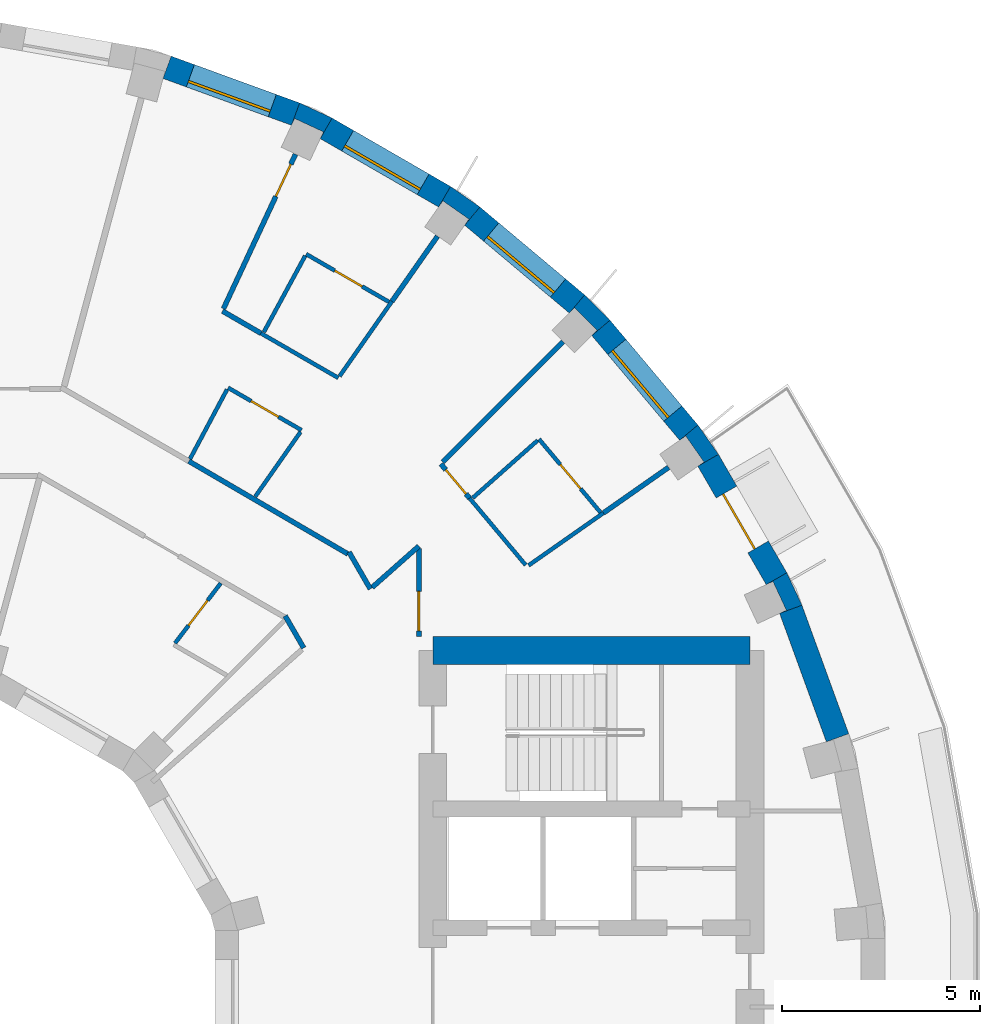
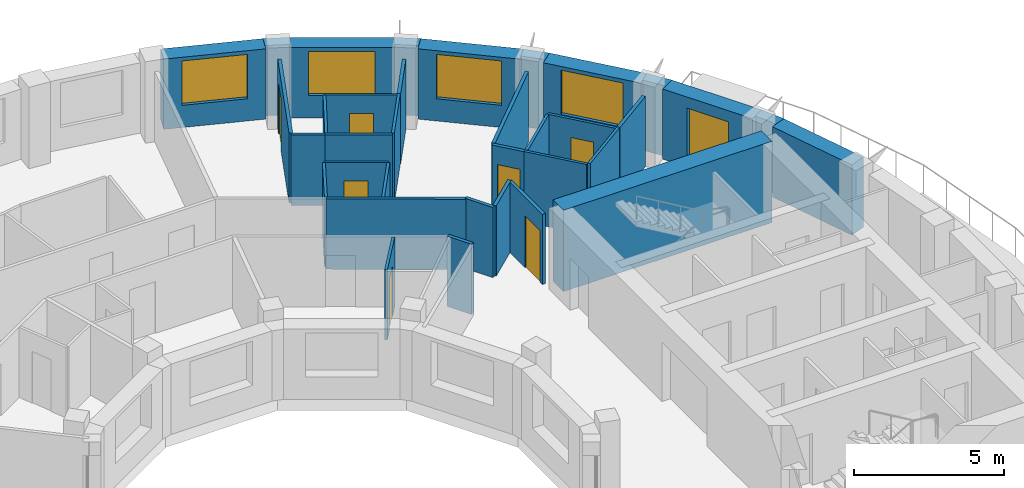
# One storey, part 9 of 11: 35 walls, 8 doors, 4 windows, 12 openings.
"""IFC4 building model written with IfcOpenShell, lengths in metres."""

from ifc_helpers import new_model, si_unit, direction, frame, frame_2d, origin, place, context, subcontext, project, spatial, polyline, rectangle, outline, extrude, material, layer, layer_set, type_object, element, fill, save


model = new_model("IFC4")

# Units and contexts
model_context = context("Model", 3, precision=1e-05, world=origin(), true_north=direction((0.0, 1.0)))
body_context = subcontext(model_context, "Body", "Model", "MODEL_VIEW")
ifc_project = project(units=[si_unit("LENGTHUNIT", "METRE"), si_unit("AREAUNIT", "SQUARE_METRE"), si_unit("VOLUMEUNIT", "CUBIC_METRE"), si_unit("PLANEANGLEUNIT", "RADIAN"), si_unit("MASSUNIT", "GRAM", prefix="KILO")], contexts=[model_context])

# Site, building, storey
site_placement = place(None, origin())
site = spatial("IfcSite", under=ifc_project, at=site_placement, CompositionType="ELEMENT")
building_placement = place(site_placement, origin())
building = spatial("IfcBuilding", under=site, at=building_placement, Name="Saqina Gate Tower", CompositionType="ELEMENT")
storey_placement = place(building_placement, frame((0.0, 0.0, 187.199951171875)))
storey = spatial("IfcBuildingStorey", under=building, at=storey_placement, Name="L53", CompositionType="ELEMENT", Elevation=187.199951171875)

# Walls
ifc_material_1 = material(Name="Brick masonry (buff)", Category="masonry")
wall_type_1 = type_object("IfcWallType", Name="BRICK PIER COPING BUFF", PredefinedType="SOLIDWALL", material=ifc_material_1)
wall_1_placement = place(storey_placement, origin())
element("IfcWall", 1, at=wall_1_placement, inside=storey, type_object=wall_type_1, Name="Pier cap L53 column 3", PredefinedType="SOLIDWALL", context=body_context, shape_type="SweptSolid", body=[
    extrude(outline(polyline([(22.4306640625, 10.958740234375), (21.9111328125, 10.65869140625), (22.080810546875, 10.73779296875), (22.4189453125, 10.0126953125), (22.249267578125, 9.93359375), (22.81298828125, 10.138916015625), (22.4306640625, 10.958740234375)])), origin(), (0.0, 0.0, 1.0), 2.85009765625),
])
wall_2_placement = place(storey_placement, origin())
element("IfcWall", 2, at=wall_2_placement, inside=storey, type_object=wall_type_1, Name="Pier cap L53 column 4", PredefinedType="SOLIDWALL", context=body_context, shape_type="SweptSolid", body=[
    extrude(outline(polyline([(20.705810546875, 13.9462890625), (20.18701171875, 14.687255859375), (19.727294921875, 14.301513671875), (19.880859375, 14.408935546875), (20.339599609375, 13.753662109375), (20.186279296875, 13.646240234375), (20.705810546875, 13.9462890625)])), origin(), (0.0, 0.0, 1.0), 2.85009765625),
])
wall_3_placement = place(storey_placement, origin())
element("IfcWall", 3, at=wall_3_placement, inside=storey, type_object=wall_type_1, Name="Pier cap L53 column 5", PredefinedType="SOLIDWALL", context=body_context, shape_type="SweptSolid", body=[
    extrude(outline(polyline([(17.329833984375, 17.969482421875), (16.944091796875, 17.510009765625), (17.07666015625, 17.642333984375), (17.642333984375, 17.07666015625), (17.510009765625, 16.944091796875), (17.969482421875, 17.329833984375), (17.329833984375, 17.969482421875)])), origin(), (0.0, 0.0, 1.0), 2.85009765625),
])
wall_4_placement = place(storey_placement, origin())
element("IfcWall", 4, at=wall_4_placement, inside=storey, type_object=wall_type_1, Name="Pier cap L53 column 6", PredefinedType="SOLIDWALL", context=body_context, shape_type="SweptSolid", body=[
    extrude(outline(polyline([(14.687255859375, 20.18701171875), (13.9462890625, 20.705810546875), (13.646240234375, 20.186279296875), (13.753662109375, 20.339599609375), (14.408935546875, 19.880859375), (14.301513671875, 19.727294921875), (14.687255859375, 20.18701171875)])), origin(), (0.0, 0.0, 1.0), 2.85009765625),
])
wall_5_placement = place(storey_placement, origin())
element("IfcWall", 5, at=wall_5_placement, inside=storey, type_object=wall_type_1, Name="Pier cap L53 column 7", PredefinedType="SOLIDWALL", context=body_context, shape_type="SweptSolid", body=[
    extrude(outline(polyline([(10.138916015625, 22.81298828125), (9.93359375, 22.249267578125), (10.0126953125, 22.4189453125), (10.73779296875, 22.080810546875), (10.65869140625, 21.9111328125), (10.958740234375, 22.4306640625), (10.138916015625, 22.81298828125)])), origin(), (0.0, 0.0, 1.0), 2.85009765625),
])

# Wall, opening, door
ifc_material_2 = material(Name="Brick masonry (buff)", Category="masonry")
ifc_layer_1 = layer(ifc_material_2, 0.60009765625)
ifc_layer_set_1 = layer_set([ifc_layer_1], Name="FW-BRICK-BUFF")
wall_type_2 = type_object("IfcWallType", Name="FW-BRICK-BUFF", PredefinedType="SOLIDWALL", material=ifc_layer_set_1)
wall_6_placement = place(storey_placement, frame((22.1708984375, 10.80859375, 0.0), z_axis=(0.0, 0.0, 1.0), x_axis=(-0.499998129301, 0.86602648383, 0.0)))
wall_6 = element("IfcWall", 6, at=wall_6_placement, inside=storey, type_object=wall_type_2, Name="Facade wall L53 facet 3", PredefinedType="SOLIDWALL", context=body_context, shape_type="SweptSolid", body=[
    extrude(rectangle(XDim=3.44970703125, YDim=0.60009765625, at=frame_2d((1.724853515625, 0.0))), origin(), (0.0, 0.0, 1.0), 2.85009765625),
])
opening_1_placement = place(wall_6_placement, frame((0.9248046875, 0.0, 0.0)))
opening_1 = element("IfcOpeningElement", 7, at=opening_1_placement, cuts=wall_6, Name="Opening G15-D80", PredefinedType="OPENING", context=body_context, shape_type="SweptSolid", body=[
    extrude(rectangle(XDim=1.60009765625, YDim=2.39990234375, at=frame_2d((0.800048828125, 1.199951171875))), frame((0.0, 0.31201171875, 0.0), z_axis=(0.0, -1.0, 0.0), x_axis=(1.0, 0.0, 0.0)), (0.0, 0.0, 1.0), 0.6240234375),
])
ifc_material_3 = material(Name="Aluminium glazing", Category="aluminium")
door_type_1 = type_object("IfcDoorType", Name="GD-C", OperationType="DOUBLE_DOOR_SINGLE_SWING", PredefinedType="DOOR", material=ifc_material_3)
door_1_placement = place(opening_1_placement, origin())
door_1 = element("IfcDoor", 8, at=door_1_placement, inside=storey, type_object=door_type_1, Name="Terrace door L53 facet 3", OperationType="DOUBLE_DOOR_SINGLE_SWING", OverallHeight=2.39990234375, OverallWidth=1.60009765625, PredefinedType="DOOR", context=body_context, shape_type="SweptSolid", body=[
    extrude(rectangle(XDim=1.60009765625, YDim=2.39990234375, at=frame_2d((0.800048828125, 1.199951171875))), frame((0.0, 0.125, 0.0), z_axis=(0.0, -1.0, 0.0), x_axis=(1.0, 0.0, 0.0)), (0.0, 0.0, 1.0), 0.050048828125),
])
fill(opening_1, door_1)

# Wall, opening, window
wall_7_placement = place(storey_placement, frame((19.95703125, 14.494384765625, 0.0), z_axis=(0.0, 0.0, 1.0), x_axis=(-0.642770398358, 0.766058884809, 0.0)))
wall_7 = element("IfcWall", 9, at=wall_7_placement, inside=storey, type_object=wall_type_2, Name="Facade wall L53 facet 4", PredefinedType="SOLIDWALL", context=body_context, shape_type="SweptSolid", body=[
    extrude(rectangle(XDim=3.449462890625, YDim=0.60009765625, at=frame_2d((1.724609375, 0.0))), origin(), (0.0, 0.0, 1.0), 2.85009765625),
])
opening_2_placement = place(wall_7_placement, frame((0.625, 0.0, 0.89990234375)))
opening_2 = element("IfcOpeningElement", 10, at=opening_2_placement, cuts=wall_7, Name="Opening G15-W01", PredefinedType="OPENING", context=body_context, shape_type="SweptSolid", body=[
    extrude(rectangle(XDim=2.199951171875, YDim=1.800048828125, at=frame_2d((1.10009765625, 0.89990234375))), frame((0.0, 0.31201171875, 0.0), z_axis=(0.0, -1.0, 0.0), x_axis=(1.0, 0.0, 0.0)), (0.0, 0.0, 1.0), 0.6240234375),
])
ifc_material_4 = material(Name="Aluminium glazing", Category="aluminium")
window_type = type_object("IfcWindowType", Name="WN-C", PartitioningType="SINGLE_PANEL", PredefinedType="WINDOW", material=ifc_material_4)
window_1_placement = place(opening_2_placement, origin())
window_1 = element("IfcWindow", 11, at=window_1_placement, inside=storey, type_object=window_type, Name="Window L53 facet 4", OverallHeight=1.800048828125, OverallWidth=2.199951171875, PartitioningType="SINGLE_PANEL", PredefinedType="WINDOW", context=body_context, shape_type="SweptSolid", body=[
    extrude(rectangle(XDim=2.199951171875, YDim=1.800048828125, at=frame_2d((1.10009765625, 0.89990234375))), frame((0.0, 0.179931640625, 0.0), z_axis=(0.0, -1.0, 0.0), x_axis=(1.0, 0.0, 0.0)), (0.0, 0.0, 1.0), 0.06005859375),
])
fill(opening_2, window_1)

wall_8_placement = place(storey_placement, frame((17.136962890625, 17.73974609375, 0.0), z_axis=(0.0, 0.0, 1.0), x_axis=(-0.766058884809, 0.642770398358, 0.0)))
wall_8 = element("IfcWall", 12, at=wall_8_placement, inside=storey, type_object=wall_type_2, Name="Facade wall L53 facet 5", PredefinedType="SOLIDWALL", context=body_context, shape_type="SweptSolid", body=[
    extrude(rectangle(XDim=3.449462890625, YDim=0.60009765625, at=frame_2d((1.724609375, 0.0))), origin(), (0.0, 0.0, 1.0), 2.85009765625),
])
opening_3_placement = place(wall_8_placement, frame((0.625, 0.0, 0.89990234375)))
opening_3 = element("IfcOpeningElement", 13, at=opening_3_placement, cuts=wall_8, Name="Opening G15-W02", PredefinedType="OPENING", context=body_context, shape_type="SweptSolid", body=[
    extrude(rectangle(XDim=2.199951171875, YDim=1.800048828125, at=frame_2d((1.10009765625, 0.89990234375))), frame((0.0, 0.31201171875, 0.0), z_axis=(0.0, -1.0, 0.0), x_axis=(1.0, 0.0, 0.0)), (0.0, 0.0, 1.0), 0.6240234375),
])
window_2_placement = place(opening_3_placement, origin())
window_2 = element("IfcWindow", 14, at=window_2_placement, inside=storey, type_object=window_type, Name="Window L53 facet 5", OverallHeight=1.800048828125, OverallWidth=2.199951171875, PartitioningType="SINGLE_PANEL", PredefinedType="WINDOW", context=body_context, shape_type="SweptSolid", body=[
    extrude(rectangle(XDim=2.199951171875, YDim=1.800048828125, at=frame_2d((1.10009765625, 0.89990234375))), frame((0.0, 0.179931640625, 0.0), z_axis=(0.0, -1.0, 0.0), x_axis=(1.0, 0.0, 0.0)), (0.0, 0.0, 1.0), 0.06005859375),
])
fill(opening_3, window_2)

wall_9_placement = place(storey_placement, frame((13.796142578125, 20.446044921875, 0.0), z_axis=(0.0, 0.0, 1.0), x_axis=(-0.86602648383, 0.499998129301, 0.0)))
wall_9 = element("IfcWall", 15, at=wall_9_placement, inside=storey, type_object=wall_type_2, Name="Facade wall L53 facet 6", PredefinedType="SOLIDWALL", context=body_context, shape_type="SweptSolid", body=[
    extrude(rectangle(XDim=3.44970703125, YDim=0.60009765625, at=frame_2d((1.724853515625, 0.0))), origin(), (0.0, 0.0, 1.0), 2.85009765625),
])
opening_4_placement = place(wall_9_placement, frame((0.625, 0.0, 0.89990234375)))
opening_4 = element("IfcOpeningElement", 16, at=opening_4_placement, cuts=wall_9, Name="Opening G15-W03", PredefinedType="OPENING", context=body_context, shape_type="SweptSolid", body=[
    extrude(rectangle(XDim=2.199951171875, YDim=1.800048828125, at=frame_2d((1.10009765625, 0.89990234375))), frame((0.0, 0.31201171875, 0.0), z_axis=(0.0, -1.0, 0.0), x_axis=(1.0, 0.0, 0.0)), (0.0, 0.0, 1.0), 0.6240234375),
])
window_3_placement = place(opening_4_placement, origin())
window_3 = element("IfcWindow", 17, at=window_3_placement, inside=storey, type_object=window_type, Name="Window L53 facet 6", OverallHeight=1.800048828125, OverallWidth=2.199951171875, PartitioningType="SINGLE_PANEL", PredefinedType="WINDOW", context=body_context, shape_type="SweptSolid", body=[
    extrude(rectangle(XDim=2.199951171875, YDim=1.800048828125, at=frame_2d((1.10009765625, 0.89990234375))), frame((0.0, 0.179931640625, 0.0), z_axis=(0.0, -1.0, 0.0), x_axis=(1.0, 0.0, 0.0)), (0.0, 0.0, 1.0), 0.06005859375),
])
fill(opening_4, window_3)

wall_10_placement = place(storey_placement, frame((10.0361328125, 22.531005859375, 0.0), z_axis=(0.0, 0.0, 1.0), x_axis=(-0.93968799822, 0.342032843455, 0.0)))
wall_10 = element("IfcWall", 18, at=wall_10_placement, inside=storey, type_object=wall_type_2, Name="Facade wall L53 facet 7", PredefinedType="SOLIDWALL", context=body_context, shape_type="SweptSolid", body=[
    extrude(rectangle(XDim=3.44970703125, YDim=0.60009765625, at=frame_2d((1.724853515625, 0.0))), origin(), (0.0, 0.0, 1.0), 2.85009765625),
])
opening_5_placement = place(wall_10_placement, frame((0.625, 0.0, 0.89990234375)))
opening_5 = element("IfcOpeningElement", 19, at=opening_5_placement, cuts=wall_10, Name="Opening G15-W04", PredefinedType="OPENING", context=body_context, shape_type="SweptSolid", body=[
    extrude(rectangle(XDim=2.199951171875, YDim=1.800048828125, at=frame_2d((1.10009765625, 0.89990234375))), frame((0.0, 0.31201171875, 0.0), z_axis=(0.0, -1.0, 0.0), x_axis=(1.0, 0.0, 0.0)), (0.0, 0.0, 1.0), 0.6240234375),
])
window_4_placement = place(opening_5_placement, origin())
window_4 = element("IfcWindow", 20, at=window_4_placement, inside=storey, type_object=window_type, Name="Window L53 facet 7", OverallHeight=1.800048828125, OverallWidth=2.199951171875, PartitioningType="SINGLE_PANEL", PredefinedType="WINDOW", context=body_context, shape_type="SweptSolid", body=[
    extrude(rectangle(XDim=2.199951171875, YDim=1.800048828125, at=frame_2d((1.10009765625, 0.89990234375))), frame((0.0, 0.179931640625, 0.0), z_axis=(0.0, -1.0, 0.0), x_axis=(1.0, 0.0, 0.0)), (0.0, 0.0, 1.0), 0.06005859375),
])
fill(opening_5, window_4)

# Walls
ifc_material_5 = material(Name="Glazed ceramic tile", Category="ceramic")
ifc_layer_2 = layer(ifc_material_5, 0.60009765625)
ifc_layer_set_2 = layer_set([ifc_layer_2], Name="FW-TILE")
wall_type_3 = type_object("IfcWallType", Name="FW-TILE", PredefinedType="SOLIDWALL", material=ifc_layer_set_2)
wall_11_placement = place(storey_placement, frame((23.7109375, 6.79443359375, 0.0), z_axis=(0.0, 0.0, 1.0), x_axis=(-0.342032843455, 0.93968799822, 0.0)))
element("IfcWall", 21, at=wall_11_placement, inside=storey, type_object=wall_type_3, Name="Facade wall L53 facet 2", PredefinedType="SOLIDWALL", context=body_context, shape_type="SweptSolid", body=[
    extrude(rectangle(XDim=3.44970703125, YDim=0.60009765625, at=frame_2d((1.724853515625, 0.0))), origin(), (0.0, 0.0, 1.0), 2.85009765625),
])
ifc_material_6 = material(Name="Gypsum board on steel studs, 100 mm", Category="steel")
ifc_layer_3 = layer(ifc_material_6, 0.10009765625)
ifc_layer_set_3 = layer_set([ifc_layer_3], Name="PARTITION 100")
wall_type_4 = type_object("IfcWallType", Name="PARTITION 100", PredefinedType="PARTITIONING", material=ifc_layer_set_3)
wall_12_placement = place(storey_placement, frame((14.425048828125, 12.84228515625, 0.0), z_axis=(0.0, 0.0, 1.0), x_axis=(0.642729690631, -0.766093039246, 0.0)))
element("IfcWall", 22, at=wall_12_placement, inside=storey, type_object=wall_type_4, Name="PARTITION PW3-12", PredefinedType="PARTITIONING", context=body_context, shape_type="SweptSolid", body=[
    extrude(rectangle(XDim=2.20458984375, YDim=0.10009765625, at=frame_2d((1.102294921875, 0.0))), origin(), (0.0, 0.0, 1.0), 2.85009765625),
])

# Wall, opening, door
wall_13_placement = place(storey_placement, frame((16.178955078125, 14.3291015625, 0.0), z_axis=(0.0, 0.0, 1.0), x_axis=(0.64280558307, -0.7660293613, 0.0)))
wall_13 = element("IfcWall", 23, at=wall_13_placement, inside=storey, type_object=wall_type_4, Name="PARTITION PW3-13", PredefinedType="PARTITIONING", context=body_context, shape_type="SweptSolid", body=[
    extrude(rectangle(XDim=2.415283203125, YDim=0.10009765625, at=frame_2d((1.20751953125, 0.0))), origin(), (0.0, 0.0, 1.0), 2.85009765625),
])
opening_6_placement = place(wall_13_placement, frame((0.83349609375, 0.0, 0.0)))
opening_6 = element("IfcOpeningElement", 24, at=opening_6_placement, cuts=wall_13, Name="Opening G15-D02", PredefinedType="OPENING", context=body_context, shape_type="SweptSolid", body=[
    extrude(rectangle(XDim=0.800048828125, YDim=2.10009765625, at=frame_2d((0.39990234375, 1.050048828125))), frame((0.0, 0.06201171875, 0.0), z_axis=(0.0, -1.0, 0.0), x_axis=(1.0, 0.0, 0.0)), (0.0, 0.0, 1.0), 0.1240234375),
])
ifc_material_7 = material(Name="Timber door leaf, 800 mm", Category="wood")
door_type_2 = type_object("IfcDoorType", Name="DOOR 800 TIMBER", OperationType="SINGLE_SWING_LEFT", PredefinedType="DOOR", material=ifc_material_7)
door_2_placement = place(opening_6_placement, origin())
door_2 = element("IfcDoor", 25, at=door_2_placement, inside=storey, type_object=door_type_2, Name="DOOR G15-D02", OperationType="SINGLE_SWING_RIGHT", OverallHeight=2.10009765625, OverallWidth=0.800048828125, PredefinedType="DOOR", context=body_context, shape_type="SweptSolid", body=[
    extrude(rectangle(XDim=0.800048828125, YDim=2.10009765625, at=frame_2d((0.39990234375, 1.050048828125))), frame((0.0, 0.02490234375, 0.0), z_axis=(0.0, -1.0, 0.0), x_axis=(1.0, 0.0, 0.0)), (0.0, 0.0, 1.0), 0.050048828125),
])
fill(opening_6, door_2)

wall_14_placement = place(storey_placement, frame((8.332763671875, 15.626953125, 0.0), z_axis=(0.0, 0.0, 1.0), x_axis=(0.866024183959, -0.500002112793, 0.0)))
wall_14 = element("IfcWall", 26, at=wall_14_placement, inside=storey, type_object=wall_type_4, Name="PARTITION PW3-25", PredefinedType="PARTITIONING", context=body_context, shape_type="SweptSolid", body=[
    extrude(rectangle(XDim=2.14111328125, YDim=0.10009765625, at=frame_2d((1.070556640625, 0.0))), origin(), (0.0, 0.0, 1.0), 2.85009765625),
])
opening_7_placement = place(wall_14_placement, frame((0.67041015625, 0.0, 0.0)))
opening_7 = element("IfcOpeningElement", 27, at=opening_7_placement, cuts=wall_14, Name="Opening G15-D06", PredefinedType="OPENING", context=body_context, shape_type="SweptSolid", body=[
    extrude(rectangle(XDim=0.800048828125, YDim=2.10009765625, at=frame_2d((0.39990234375, 1.050048828125))), frame((0.0, 0.06201171875, 0.0), z_axis=(0.0, -1.0, 0.0), x_axis=(1.0, 0.0, 0.0)), (0.0, 0.0, 1.0), 0.1240234375),
])
door_3_placement = place(opening_7_placement, origin())
door_3 = element("IfcDoor", 28, at=door_3_placement, inside=storey, type_object=door_type_2, Name="DOOR G15-D06", OperationType="SINGLE_SWING_LEFT", OverallHeight=2.10009765625, OverallWidth=0.800048828125, PredefinedType="DOOR", context=body_context, shape_type="SweptSolid", body=[
    extrude(rectangle(XDim=0.800048828125, YDim=2.10009765625, at=frame_2d((0.39990234375, 1.050048828125))), frame((0.0, 0.02490234375, 0.0), z_axis=(0.0, -1.0, 0.0), x_axis=(1.0, 0.0, 0.0)), (0.0, 0.0, 1.0), 0.050048828125),
])
fill(opening_7, door_3)

# Wall
wall_15_placement = place(storey_placement, frame((9.16259765625, 17.0009765625, 0.0), z_axis=(0.0, 0.0, 1.0), x_axis=(0.866073680794, -0.499916372443, 0.0)))
element("IfcWall", 29, at=wall_15_placement, inside=storey, type_object=wall_type_4, Name="PARTITION PW3-26", PredefinedType="PARTITIONING", context=body_context, shape_type="SweptSolid", body=[
    extrude(rectangle(XDim=2.25244140625, YDim=0.10009765625, at=frame_2d((1.126220703125, 0.0))), origin(), (0.0, 0.0, 1.0), 2.85009765625),
])

# Wall, opening, door
wall_16_placement = place(storey_placement, frame((10.302978515625, 18.9990234375, 0.0), z_axis=(0.0, 0.0, 1.0), x_axis=(0.865870907928, -0.500267499248, 0.0)))
wall_16 = element("IfcWall", 30, at=wall_16_placement, inside=storey, type_object=wall_type_4, Name="PARTITION PW3-27", PredefinedType="PARTITIONING", context=body_context, shape_type="SweptSolid", body=[
    extrude(rectangle(XDim=2.416748046875, YDim=0.10009765625, at=frame_2d((1.20849609375, 0.0))), origin(), (0.0, 0.0, 1.0), 2.85009765625),
])
opening_8_placement = place(wall_16_placement, frame((0.83349609375, 0.0, 0.0)))
opening_8 = element("IfcOpeningElement", 31, at=opening_8_placement, cuts=wall_16, Name="Opening G15-D05", PredefinedType="OPENING", context=body_context, shape_type="SweptSolid", body=[
    extrude(rectangle(XDim=0.800048828125, YDim=2.10009765625, at=frame_2d((0.39990234375, 1.050048828125))), frame((0.0, 0.06201171875, 0.0), z_axis=(0.0, -1.0, 0.0), x_axis=(1.0, 0.0, 0.0)), (0.0, 0.0, 1.0), 0.1240234375),
])
door_4_placement = place(opening_8_placement, origin())
door_4 = element("IfcDoor", 32, at=door_4_placement, inside=storey, type_object=door_type_2, Name="DOOR G15-D05", OperationType="SINGLE_SWING_RIGHT", OverallHeight=2.10009765625, OverallWidth=0.800048828125, PredefinedType="DOOR", context=body_context, shape_type="SweptSolid", body=[
    extrude(rectangle(XDim=0.800048828125, YDim=2.10009765625, at=frame_2d((0.39990234375, 1.050048828125))), frame((0.0, 0.02490234375, 0.0), z_axis=(0.0, -1.0, 0.0), x_axis=(1.0, 0.0, 0.0)), (0.0, 0.0, 1.0), 0.050048828125),
])
fill(opening_8, door_4)

# Walls
wall_17_placement = place(storey_placement, frame((15.9150390625, 11.143798828125, 0.0), z_axis=(0.0, 0.0, 1.0), x_axis=(0.819157380539, 0.573568815321, 0.0)))
element("IfcWall", 33, at=wall_17_placement, inside=storey, type_object=wall_type_4, Name="PARTITION PW3-44", PredefinedType="PARTITIONING", context=body_context, shape_type="SweptSolid", body=[
    extrude(rectangle(XDim=2.308349609375, YDim=0.10009765625, at=frame_2d((1.154296875, 0.0))), origin(), (0.0, 0.0, 1.0), 2.85009765625),
])
wall_18_placement = place(storey_placement, frame((14.50390625, 12.845458984375, 0.0), z_axis=(0.0, 0.0, 1.0), x_axis=(0.748608753718, 0.663012016374, 0.0)))
element("IfcWall", 34, at=wall_18_placement, inside=storey, type_object=wall_type_4, Name="PARTITION PW3-47", PredefinedType="PARTITIONING", context=body_context, shape_type="SweptSolid", body=[
    extrude(rectangle(XDim=2.187744140625, YDim=0.10009765625, at=frame_2d((1.09375, 0.0))), origin(), (0.0, 0.0, 1.0), 2.85009765625),
])

# Wall, opening, door
wall_19_placement = place(storey_placement, frame((6.995361328125, 9.181884765625, 0.0), z_axis=(0.0, 0.0, 1.0), x_axis=(0.606016164932, 0.795452329081, 0.0)))
wall_19 = element("IfcWall", 35, at=wall_19_placement, inside=storey, type_object=wall_type_4, Name="PARTITION PW3-55", PredefinedType="PARTITIONING", context=body_context, shape_type="SweptSolid", body=[
    extrude(rectangle(XDim=1.903564453125, YDim=0.10009765625, at=frame_2d((0.95166015625, 0.0))), origin(), (0.0, 0.0, 1.0), 2.85009765625),
])
opening_9_placement = place(wall_19_placement, frame((0.55810546875, 0.0, 0.0)))
opening_9 = element("IfcOpeningElement", 36, at=opening_9_placement, cuts=wall_19, Name="Opening G15-D04", PredefinedType="OPENING", context=body_context, shape_type="SweptSolid", body=[
    extrude(rectangle(XDim=0.800048828125, YDim=2.10009765625, at=frame_2d((0.39990234375, 1.050048828125))), frame((0.0, 0.06201171875, 0.0), z_axis=(0.0, -1.0, 0.0), x_axis=(1.0, 0.0, 0.0)), (0.0, 0.0, 1.0), 0.1240234375),
])
door_5_placement = place(opening_9_placement, origin())
door_5 = element("IfcDoor", 37, at=door_5_placement, inside=storey, type_object=door_type_2, Name="DOOR G15-D04", OperationType="SINGLE_SWING_RIGHT", OverallHeight=2.10009765625, OverallWidth=0.800048828125, PredefinedType="DOOR", context=body_context, shape_type="SweptSolid", body=[
    extrude(rectangle(XDim=0.800048828125, YDim=2.10009765625, at=frame_2d((0.39990234375, 1.050048828125))), frame((0.0, 0.02490234375, 0.0), z_axis=(0.0, -1.0, 0.0), x_axis=(1.0, 0.0, 0.0)), (0.0, 0.0, 1.0), 0.050048828125),
])
fill(opening_9, door_5)

# Walls
wall_20_placement = place(storey_placement, frame((11.147216796875, 15.91845703125, 0.0), z_axis=(0.0, 0.0, 1.0), x_axis=(0.573270276117, 0.819366334749, 0.0)))
element("IfcWall", 38, at=wall_20_placement, inside=storey, type_object=wall_type_4, Name="PARTITION PW3-56", PredefinedType="PARTITIONING", context=body_context, shape_type="SweptSolid", body=[
    extrude(rectangle(XDim=2.303466796875, YDim=0.10009765625, at=frame_2d((1.15185546875, 0.0))), origin(), (0.0, 0.0, 1.0), 2.85009765625),
])
wall_21_placement = place(storey_placement, frame((9.017822265625, 12.879150390625, 0.0), z_axis=(0.0, 0.0, 1.0), x_axis=(0.573717150032, 0.819053497495, 0.0)))
element("IfcWall", 39, at=wall_21_placement, inside=storey, type_object=wall_type_4, Name="PARTITION PW3-57", PredefinedType="PARTITIONING", context=body_context, shape_type="SweptSolid", body=[
    extrude(rectangle(XDim=1.9931640625, YDim=0.10009765625, at=frame_2d((0.99658203125, 0.0))), origin(), (0.0, 0.0, 1.0), 2.85009765625),
])
wall_22_placement = place(storey_placement, frame((9.23583984375, 17.031005859375, 0.0), z_axis=(0.0, 0.0, 1.0), x_axis=(0.476638861042, 0.87909919585, 0.0)))
element("IfcWall", 40, at=wall_22_placement, inside=storey, type_object=wall_type_4, Name="PARTITION PW3-58", PredefinedType="PARTITIONING", context=body_context, shape_type="SweptSolid", body=[
    extrude(rectangle(XDim=2.188720703125, YDim=0.10009765625, at=frame_2d((1.09423828125, 0.0))), origin(), (0.0, 0.0, 1.0), 2.85009765625),
])
wall_23_placement = place(storey_placement, frame((7.37353515625, 13.8310546875, 0.0), z_axis=(0.0, 0.0, 1.0), x_axis=(0.470274863267, 0.882520001461, 0.0)))
element("IfcWall", 41, at=wall_23_placement, inside=storey, type_object=wall_type_4, Name="PARTITION PW3-59", PredefinedType="PARTITIONING", context=body_context, shape_type="SweptSolid", body=[
    extrude(rectangle(XDim=1.981689453125, YDim=0.10009765625, at=frame_2d((0.99072265625, 0.0))), origin(), (0.0, 0.0, 1.0), 2.85009765625),
])
ifc_material_8 = material(Name="Gypsum board on steel studs, 125 mm, fire rated", Category="steel")
ifc_layer_4 = layer(ifc_material_8, 0.125)
ifc_layer_set_4 = layer_set([ifc_layer_4], Name="PARTITION EI 30 125")
wall_type_5 = type_object("IfcWallType", Name="PARTITION EI 30 125", PredefinedType="PARTITIONING", material=ifc_layer_set_4)
wall_24_placement = place(storey_placement, frame((11.384033203125, 11.482421875, 0.0), z_axis=(0.0, 0.0, 1.0), x_axis=(0.500016891966, -0.866015650984, 0.0)))
element("IfcWall", 42, at=wall_24_placement, inside=storey, type_object=wall_type_5, Name="PARTITION PW1-03", PredefinedType="PARTITIONING", context=body_context, shape_type="SweptSolid", body=[
    extrude(rectangle(XDim=1.07666015625, YDim=0.125, at=frame_2d((0.538330078125, 0.0))), origin(), (0.0, 0.0, 1.0), 2.85009765625),
])
wall_25_placement = place(storey_placement, frame((9.77294921875, 9.871337890625, 0.0), z_axis=(0.0, 0.0, 1.0), x_axis=(0.501046552025, -0.865420332962, 0.0)))
element("IfcWall", 43, at=wall_25_placement, inside=storey, type_object=wall_type_5, Name="PARTITION PW1-05", PredefinedType="PARTITIONING", context=body_context, shape_type="SweptSolid", body=[
    extrude(rectangle(XDim=0.93603515625, YDim=0.125, at=frame_2d((0.468017578125, 0.0))), origin(), (0.0, 0.0, 1.0), 2.85009765625),
])

# Wall, opening, door
wall_26_placement = place(storey_placement, frame((13.702880859375, 13.702880859375, 0.0), z_axis=(0.0, 0.0, 1.0), x_axis=(0.642682228496, -0.766132856087, 0.0)))
wall_26 = element("IfcWall", 44, at=wall_26_placement, inside=storey, type_object=wall_type_5, Name="PARTITION PW1-07", PredefinedType="PARTITIONING", context=body_context, shape_type="SweptSolid", body=[
    extrude(rectangle(XDim=1.123291015625, YDim=0.125, at=frame_2d((0.5615234375, 0.0))), origin(), (0.0, 0.0, 1.0), 2.85009765625),
])
opening_10_placement = place(wall_26_placement, frame((0.1875, 0.0, 0.0)))
opening_10 = element("IfcOpeningElement", 45, at=opening_10_placement, cuts=wall_26, Name="Opening G15-D03", PredefinedType="OPENING", context=body_context, shape_type="SweptSolid", body=[
    extrude(rectangle(XDim=0.800048828125, YDim=2.10009765625, at=frame_2d((0.39990234375, 1.050048828125))), frame((0.0, 0.074462890625, 0.0), z_axis=(0.0, -1.0, 0.0), x_axis=(1.0, 0.0, 0.0)), (0.0, 0.0, 1.0), 0.14892578125),
])
ifc_material_9 = material(Name="Fire door leaf EI 30, 800 mm")
door_type_3 = type_object("IfcDoorType", Name="DOOR 800 EI 30", OperationType="SINGLE_SWING_LEFT", PredefinedType="DOOR", material=ifc_material_9)
door_6_placement = place(opening_10_placement, frame((0.800048828125, 0.0, 0.0), z_axis=(0.0, 0.0, 1.0), x_axis=(-1.0, 0.0, 0.0)))
door_6 = element("IfcDoor", 46, at=door_6_placement, inside=storey, type_object=door_type_3, Name="DOOR G15-D03", OperationType="SINGLE_SWING_LEFT", OverallHeight=2.10009765625, OverallWidth=0.800048828125, PredefinedType="DOOR", context=body_context, shape_type="SweptSolid", body=[
    extrude(rectangle(XDim=0.800048828125, YDim=2.10009765625, at=frame_2d((0.39990234375, 1.050048828125))), frame((0.0, 0.02490234375, 0.0), z_axis=(0.0, -1.0, 0.0), x_axis=(1.0, 0.0, 0.0)), (0.0, 0.0, 1.0), 0.050048828125),
])
fill(opening_10, door_6)

# Walls
wall_27_placement = place(storey_placement, frame((7.3427734375, 13.774169921875, 0.0), z_axis=(0.0, 0.0, 1.0), x_axis=(0.86377127644, -0.503884095796, 0.0)))
element("IfcWall", 47, at=wall_27_placement, inside=storey, type_object=wall_type_5, Name="PARTITION PW1-13", PredefinedType="PARTITIONING", context=body_context, shape_type="SweptSolid", body=[
    extrude(rectangle(XDim=4.6455078125, YDim=0.125, at=frame_2d((2.32275390625, 0.0))), origin(), (0.0, 0.0, 1.0), 2.85009765625),
])
wall_28_placement = place(storey_placement, frame((8.19189453125, 17.561767578125, 0.0), z_axis=(0.0, 0.0, 1.0), x_axis=(0.865888132195, -0.500237686029, 0.0)))
element("IfcWall", 48, at=wall_28_placement, inside=storey, type_object=wall_type_5, Name="PARTITION PW1-18", PredefinedType="PARTITIONING", context=body_context, shape_type="SweptSolid", body=[
    extrude(rectangle(XDim=1.12109375, YDim=0.125, at=frame_2d((0.560546875, 0.0))), origin(), (0.0, 0.0, 1.0), 2.85009765625),
])
wall_29_placement = place(storey_placement, frame((17.805908203125, 12.4677734375, 0.0), z_axis=(0.0, 0.0, 1.0), x_axis=(0.819060101024, 0.573707722548, 0.0)))
element("IfcWall", 49, at=wall_29_placement, inside=storey, type_object=wall_type_5, Name="PARTITION PW1-28", PredefinedType="PARTITIONING", context=body_context, shape_type="SweptSolid", body=[
    extrude(rectangle(XDim=2.003173828125, YDim=0.125, at=frame_2d((1.00146484375, 0.0))), origin(), (0.0, 0.0, 1.0), 2.85009765625),
])
wall_30_placement = place(storey_placement, frame((11.970458984375, 10.59033203125, 0.0), z_axis=(0.0, 0.0, 1.0), x_axis=(0.748916466518, 0.66266441445, 0.0)))
element("IfcWall", 50, at=wall_30_placement, inside=storey, type_object=wall_type_5, Name="PARTITION PW1-33", PredefinedType="PARTITIONING", context=body_context, shape_type="SweptSolid", body=[
    extrude(rectangle(XDim=1.571044921875, YDim=0.125, at=frame_2d((0.78564453125, 0.0))), origin(), (0.0, 0.0, 1.0), 2.85009765625),
])
wall_31_placement = place(storey_placement, frame((13.748291015625, 13.748291015625, 0.0), z_axis=(0.0, 0.0, 1.0), x_axis=(0.707106781187, 0.707106781187, 0.0)))
element("IfcWall", 51, at=wall_31_placement, inside=storey, type_object=wall_type_5, Name="PARTITION PW1-35", PredefinedType="PARTITIONING", context=body_context, shape_type="SweptSolid", body=[
    extrude(rectangle(XDim=4.296875, YDim=0.125, at=frame_2d((2.1484375, 0.0))), origin(), (0.0, 0.0, 1.0), 2.85009765625),
])
wall_32_placement = place(storey_placement, frame((12.467529296875, 17.805908203125, 0.0), z_axis=(0.0, 0.0, 1.0), x_axis=(0.573568678046, 0.819157476658, 0.0)))
element("IfcWall", 52, at=wall_32_placement, inside=storey, type_object=wall_type_5, Name="PARTITION PW1-38", PredefinedType="PARTITIONING", context=body_context, shape_type="SweptSolid", body=[
    extrude(rectangle(XDim=2.003173828125, YDim=0.125, at=frame_2d((1.00146484375, 0.0))), origin(), (0.0, 0.0, 1.0), 2.85009765625),
])

# Wall, opening, door
wall_33_placement = place(storey_placement, frame((8.21630859375, 17.61962890625, 0.0), z_axis=(0.0, 0.0, 1.0), x_axis=(0.422602512205, 0.906315130999, 0.0)))
wall_33 = element("IfcWall", 53, at=wall_33_placement, inside=storey, type_object=wall_type_5, Name="PARTITION PW1-44", PredefinedType="PARTITIONING", context=body_context, shape_type="SweptSolid", body=[
    extrude(rectangle(XDim=4.298828125, YDim=0.125, at=frame_2d((2.1494140625, 0.0))), origin(), (0.0, 0.0, 1.0), 2.85009765625),
])
opening_11_placement = place(wall_33_placement, frame((3.126708984375, 0.0, 0.0)))
opening_11 = element("IfcOpeningElement", 54, at=opening_11_placement, cuts=wall_33, Name="Opening G15-D08", PredefinedType="OPENING", context=body_context, shape_type="SweptSolid", body=[
    extrude(rectangle(XDim=0.89990234375, YDim=2.10009765625, at=frame_2d((0.449951171875, 1.050048828125))), frame((0.0, 0.074462890625, 0.0), z_axis=(0.0, -1.0, 0.0), x_axis=(1.0, 0.0, 0.0)), (0.0, 0.0, 1.0), 0.14892578125),
])
ifc_material_10 = material(Name="Fire door leaf EI 30, 900 mm")
door_type_4 = type_object("IfcDoorType", Name="DOOR 900 EI 30", OperationType="SINGLE_SWING_LEFT", PredefinedType="DOOR", material=ifc_material_10)
door_7_placement = place(opening_11_placement, origin())
door_7 = element("IfcDoor", 55, at=door_7_placement, inside=storey, type_object=door_type_4, Name="DOOR G15-D08", OperationType="SINGLE_SWING_RIGHT", OverallHeight=2.10009765625, OverallWidth=0.89990234375, PredefinedType="DOOR", context=body_context, shape_type="SweptSolid", body=[
    extrude(rectangle(XDim=0.89990234375, YDim=2.10009765625, at=frame_2d((0.449951171875, 1.050048828125))), frame((0.0, 0.02490234375, 0.0), z_axis=(0.0, -1.0, 0.0), x_axis=(1.0, 0.0, 0.0)), (0.0, 0.0, 1.0), 0.050048828125),
])
fill(opening_11, door_7)

wall_34_placement = place(storey_placement, frame((13.14990234375, 9.35107421875, 0.0), z_axis=(0.0, 0.0, 1.0), x_axis=(0.0, 1.0, 0.0)))
wall_34 = element("IfcWall", 56, at=wall_34_placement, inside=storey, type_object=wall_type_5, Name="PARTITION PW1-46", PredefinedType="PARTITIONING", context=body_context, shape_type="SweptSolid", body=[
    extrude(rectangle(XDim=2.21630859375, YDim=0.125, at=frame_2d((1.108154296875, 0.0))), origin(), (0.0, 0.0, 1.0), 2.85009765625),
])
opening_12_placement = place(wall_34_placement, frame((0.139404296875, 0.0, 0.0)))
opening_12 = element("IfcOpeningElement", 57, at=opening_12_placement, cuts=wall_34, Name="Opening G15-D01", PredefinedType="OPENING", context=body_context, shape_type="SweptSolid", body=[
    extrude(rectangle(XDim=1.0, YDim=2.10009765625, at=frame_2d((0.5, 1.050048828125))), frame((0.0, 0.074462890625, 0.0), z_axis=(0.0, -1.0, 0.0), x_axis=(1.0, 0.0, 0.0)), (0.0, 0.0, 1.0), 0.14892578125),
])
ifc_material_11 = material(Name="Fire door leaf EI 30, 1000 mm")
door_type_5 = type_object("IfcDoorType", Name="DOOR 1000 EI 30", OperationType="SINGLE_SWING_LEFT", PredefinedType="DOOR", material=ifc_material_11)
door_8_placement = place(opening_12_placement, origin())
door_8 = element("IfcDoor", 58, at=door_8_placement, inside=storey, type_object=door_type_5, Name="DOOR G15-D01", OperationType="SINGLE_SWING_RIGHT", OverallHeight=2.10009765625, OverallWidth=1.0, PredefinedType="DOOR", context=body_context, shape_type="SweptSolid", body=[
    extrude(rectangle(XDim=1.0, YDim=2.10009765625, at=frame_2d((0.5, 1.050048828125))), frame((0.0, 0.02490234375, 0.0), z_axis=(0.0, -1.0, 0.0), x_axis=(1.0, 0.0, 0.0)), (0.0, 0.0, 1.0), 0.050048828125),
])
fill(opening_12, door_8)

# Wall
ifc_material_12 = material(Name="Concrete C60/75", Category="concrete")
ifc_layer_5 = layer(ifc_material_12, 0.699951171875)
ifc_layer_set_5 = layer_set([ifc_layer_5], Name="Concrete C60/75")
wall_type_6 = type_object("IfcWallType", Name="STR-CORE WALL-C-O", PredefinedType="SHEAR", material=ifc_layer_set_5)
wall_35_placement = place(storey_placement, frame((13.5, 9.0, 0.0), z_axis=(0.0, 0.0, 1.0), x_axis=(1.0, 0.0, 0.0)))
element("IfcWall", 59, at=wall_35_placement, inside=storey, type_object=wall_type_6, Name="CORE WALL L53 E-NE", PredefinedType="SHEAR", context=body_context, shape_type="SweptSolid", body=[
    extrude(rectangle(XDim=8.0, YDim=0.699951171875, at=frame_2d((4.0, 0.0))), origin(), (0.0, 0.0, 1.0), 3.300048828125),
])

save(model, "model.ifc")
